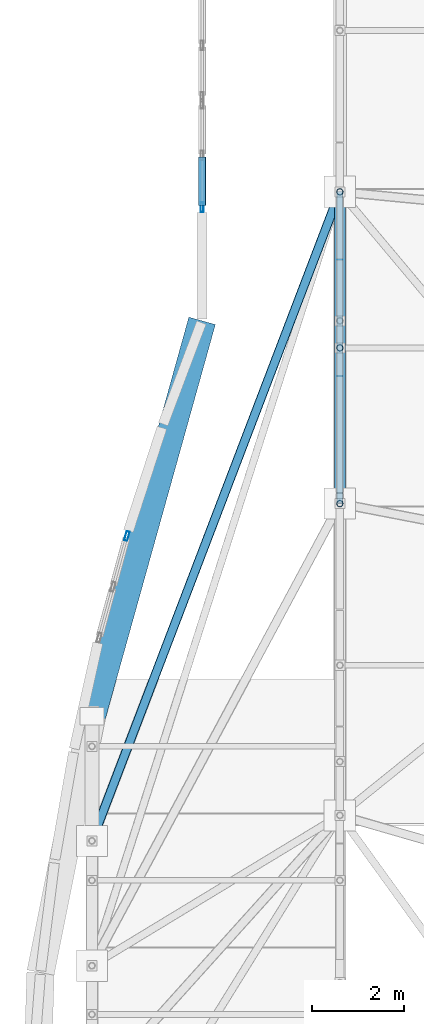
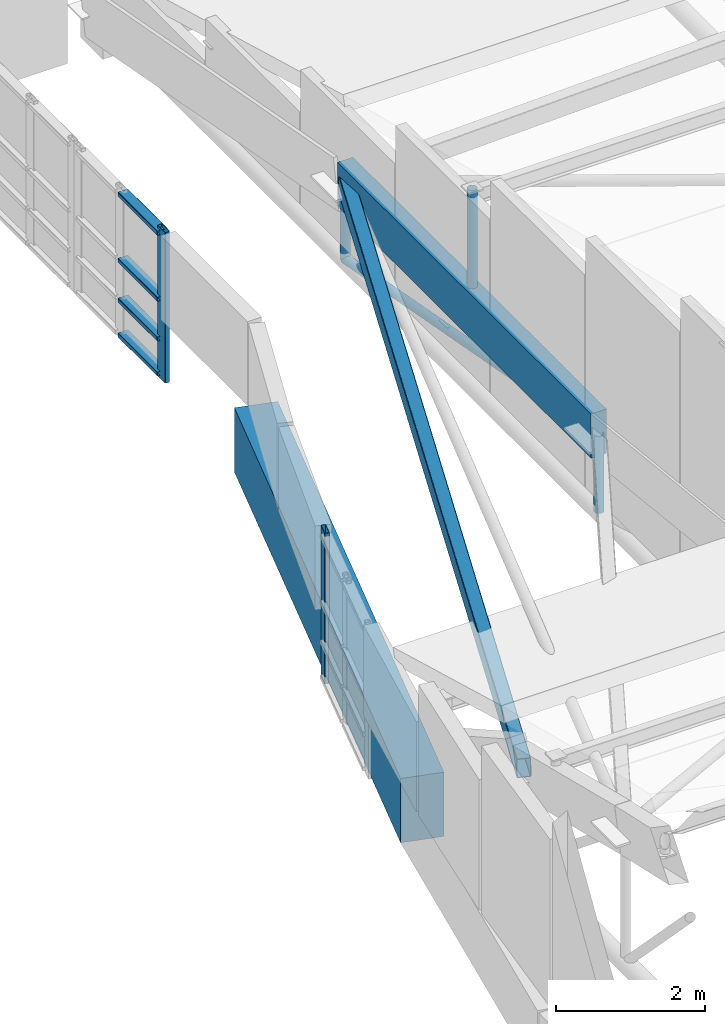
# One storey, part 56 of 188: 12 members, 1 beam, 2 elements without a shape of their own.
"""IFC4 building model written with IfcOpenShell, lengths in metres."""

from ifc_helpers import new_model, si_unit, direction, frame, origin, origin_2d, place, context, subcontext, project, spatial, rectangle, hollow_rectangle, hollow_circle, extrude, material, layer, layer_set, material_profile, profile_set, type_object, element, aggregate, save


model = new_model("IFC4")

# Units and contexts
model_context = context("Model", 3, precision=1e-05, world=origin(), true_north=direction((0.0, 1.0)))
body_context = subcontext(model_context, "Body", "Model", "MODEL_VIEW")
ifc_project = project(units=[si_unit("LENGTHUNIT", "METRE"), si_unit("AREAUNIT", "SQUARE_METRE"), si_unit("VOLUMEUNIT", "CUBIC_METRE"), si_unit("PLANEANGLEUNIT", "RADIAN"), si_unit("MASSUNIT", "GRAM", prefix="KILO")], contexts=[model_context])

# Site, building, storey
site_placement = place(None, origin())
site = spatial("IfcSite", under=ifc_project, at=site_placement, CompositionType="ELEMENT")
building_placement = place(site_placement, origin())
building = spatial("IfcBuilding", under=site, at=building_placement, Name="Kisaragi Civic Commons", CompositionType="ELEMENT")
storey_placement = place(building_placement, frame((0.0, 0.0, 9.60009765625)))
storey = spatial("IfcBuildingStorey", under=building, at=storey_placement, Name="L02", CompositionType="ELEMENT", Elevation=9.60009765625)

# Curtain wall, member
ifc_material_1 = material(Name="Thermally broken anodized aluminium and low-E double glazing", Category="aluminium")
ifc_layer = layer(ifc_material_1, 0.2099609375, Name="Thermally broken anodized aluminium and low-E double glazing", Category="aluminium")
ifc_layer_set = layer_set([ifc_layer], Name="Thermally broken anodized aluminium and low-E double glazing")
curtain_wall_type = type_object("IfcCurtainWallType", Name="CW-02", PredefinedType="NOTDEFINED", material=ifc_layer_set)
curtain_wall_1_placement = place(storey_placement, origin())
curtain_wall_1 = element("IfcCurtainWall", 1, at=curtain_wall_1_placement, inside=storey, type_object=curtain_wall_type, Name="L02 curtain wall CW-02 CW-GAB-V1-171", PredefinedType="NOTDEFINED")
ifc_material_profile_1 = material_profile(ifc_material_1, hollow_rectangle(XDim=0.070068359375, YDim=0.2099609375, WallThickness=0.0048828125, InnerFilletRadius=0.0048828125, OuterFilletRadius=0.010009765625, at=origin_2d()), Name="CWM-70x210x5", Category="aluminium")
ifc_profile_set_1 = profile_set([ifc_material_profile_1], Name="Thermally broken anodized aluminium and low-E double glazing")
member_type_1 = type_object("IfcMemberType", Name="CWM-03", PredefinedType="MULLION", material=ifc_profile_set_1)
member_1_placement = place(storey_placement, frame((2.163330078125, 48.11328125, -1.399169921875), z_axis=(0.0, 0.0, 1.0), x_axis=(-0.964681825251, 0.263417873406, 0.0)))
member_1 = element("IfcMember", 2, at=member_1_placement, type_object=member_type_1, Name="CW-02 mullion 3", PredefinedType="MULLION", context=body_context, shape_type="SweptSolid", body=[
    extrude(hollow_rectangle(XDim=0.070068359375, YDim=0.2099609375, WallThickness=0.0048828125, InnerFilletRadius=0.0048828125, OuterFilletRadius=0.010009765625, at=origin_2d()), origin(), (0.0, 0.0, 1.0), 2.461181640625),
])
aggregate(curtain_wall_1, [member_1])

# Curtain wall, members
curtain_wall_2_placement = place(storey_placement, origin())
curtain_wall_2 = element("IfcCurtainWall", 3, at=curtain_wall_2_placement, inside=storey, type_object=curtain_wall_type, Name="L02 curtain wall CW-02 CW-GAB-V1-172", PredefinedType="NOTDEFINED")
member_2_placement = place(storey_placement, frame((3.800048828125, 55.27490234375, -1.399169921875), z_axis=(0.0, 0.0, 1.0), x_axis=(-1.0, 0.0, 0.0)))
member_2 = element("IfcMember", 4, at=member_2_placement, type_object=member_type_1, Name="CW-02 mullion 1", PredefinedType="MULLION", context=body_context, shape_type="SweptSolid", body=[
    extrude(hollow_rectangle(XDim=0.070068359375, YDim=0.2099609375, WallThickness=0.0048828125, InnerFilletRadius=0.0048828125, OuterFilletRadius=0.010009765625, at=origin_2d()), origin(), (0.0, 0.0, 1.0), 2.461181640625),
])
ifc_material_profile_2 = material_profile(ifc_material_1, hollow_rectangle(XDim=0.159912109375, YDim=0.070068359375, WallThickness=0.0048828125, InnerFilletRadius=0.0048828125, OuterFilletRadius=0.010009765625, at=origin_2d()), Name="CWT-70x160x5", Category="aluminium")
ifc_profile_set_2 = profile_set([ifc_material_profile_2], Name="Thermally broken anodized aluminium and low-E double glazing")
member_type_2 = type_object("IfcMemberType", Name="CWT-03", PredefinedType="USERDEFINED", material=ifc_profile_set_2)
member_3_placement = place(storey_placement, frame((3.800048828125, 55.31005859375, -1.319091796875), z_axis=(0.0, 1.0, 0.0), x_axis=(-1.0, 0.0, 0.0)))
member_3 = element("IfcMember", 5, at=member_3_placement, type_object=member_type_2, Name="CW-02 transom 1.1", ObjectType="TRANSOM", PredefinedType="USERDEFINED", context=body_context, shape_type="SweptSolid", body=[
    extrude(hollow_rectangle(XDim=0.159912109375, YDim=0.070068359375, WallThickness=0.0048828125, InnerFilletRadius=0.0048828125, OuterFilletRadius=0.010009765625, at=origin_2d()), origin(), (0.0, 0.0, 1.0), 1.054931640625),
])
member_4_placement = place(storey_placement, frame((3.800048828125, 55.31005859375, -0.7490234375), z_axis=(0.0, 1.0, 0.0), x_axis=(-1.0, 0.0, 0.0)))
member_4 = element("IfcMember", 6, at=member_4_placement, type_object=member_type_2, Name="CW-02 transom 1.2", ObjectType="TRANSOM", PredefinedType="USERDEFINED", context=body_context, shape_type="SweptSolid", body=[
    extrude(hollow_rectangle(XDim=0.159912109375, YDim=0.070068359375, WallThickness=0.0048828125, InnerFilletRadius=0.0048828125, OuterFilletRadius=0.010009765625, at=origin_2d()), origin(), (0.0, 0.0, 1.0), 1.054931640625),
])
member_5_placement = place(storey_placement, frame((3.800048828125, 55.31005859375, -0.09912109375), z_axis=(0.0, 1.0, 0.0), x_axis=(-1.0, 0.0, 0.0)))
member_5 = element("IfcMember", 7, at=member_5_placement, type_object=member_type_2, Name="CW-02 transom 1.3", ObjectType="TRANSOM", PredefinedType="USERDEFINED", context=body_context, shape_type="SweptSolid", body=[
    extrude(hollow_rectangle(XDim=0.159912109375, YDim=0.070068359375, WallThickness=0.0048828125, InnerFilletRadius=0.0048828125, OuterFilletRadius=0.010009765625, at=origin_2d()), origin(), (0.0, 0.0, 1.0), 1.054931640625),
])
member_6_placement = place(storey_placement, frame((3.800048828125, 55.31005859375, 0.98193359375), z_axis=(0.0, 1.0, 0.0), x_axis=(-1.0, 0.0, 0.0)))
member_6 = element("IfcMember", 8, at=member_6_placement, type_object=member_type_2, Name="CW-02 transom 1.4", ObjectType="TRANSOM", PredefinedType="USERDEFINED", context=body_context, shape_type="SweptSolid", body=[
    extrude(hollow_rectangle(XDim=0.159912109375, YDim=0.070068359375, WallThickness=0.0048828125, InnerFilletRadius=0.0048828125, OuterFilletRadius=0.010009765625, at=origin_2d()), origin(), (0.0, 0.0, 1.0), 1.054931640625),
])
aggregate(curtain_wall_2, [member_2, member_3, member_4, member_5, member_6])

# Beam
ifc_material_2 = material(Name="Concrete Fc36", Category="concrete")
ifc_material_profile_3 = material_profile(ifc_material_2, rectangle(XDim=0.60009765625, YDim=1.050048828125, at=origin_2d()), Name="RC-600x1050", Category="concrete")
ifc_profile_set_3 = profile_set([ifc_material_profile_3], Name="Concrete Fc36")
beam_type = type_object("IfcBeamType", Name="G-06", PredefinedType="BEAM", material=ifc_profile_set_3)
beam_placement = place(storey_placement, frame((3.800048828125, 52.800048828125, -0.84521484375), z_axis=(-0.268592060061, -0.963254019079, 0.0), x_axis=(0.963254019079, -0.268592060061, 0.0)))
element("IfcBeam", 9, at=beam_placement, inside=storey, type_object=beam_type, Name="L02 curved spandrel/ring girder G-06 256", PredefinedType="BEAM", context=body_context, shape_type="SweptSolid", body=[
    extrude(rectangle(XDim=0.60009765625, YDim=1.050048828125, at=origin_2d()), origin(), (0.0, 0.0, 1.0), 8.93603515625),
])

# Members
ifc_material_3 = material(Name="Steel SN490 (SN490B)", Category="steel")
ifc_material_profile_4 = material_profile(ifc_material_3, hollow_rectangle(XDim=0.199951171875, YDim=0.300048828125, WallThickness=0.009033203125, InnerFilletRadius=0.009033203125, OuterFilletRadius=0.01806640625, at=origin_2d()), Name="STKR-300x200x9", Category="steel")
ifc_profile_set_4 = profile_set([ifc_material_profile_4], Name="Steel SN490 (SN490B)")
member_type_3 = type_object("IfcMemberType", Name="GC-02", PredefinedType="CHORD", material=ifc_profile_set_4)
member_7_placement = place(storey_placement, frame((1.39990234375, 41.47314453125, 1.45166015625), z_axis=(0.356242864757, 0.932570667663, -0.058334990558), x_axis=(-0.934161484471, 0.356850558261, 0.0)))
element("IfcMember", 10, at=member_7_placement, inside=storey, type_object=member_type_3, Name="V1 wave gridshell chord GC-02 7", PredefinedType="CHORD", context=body_context, shape_type="SweptSolid", body=[
    extrude(hollow_rectangle(XDim=0.199951171875, YDim=0.300048828125, WallThickness=0.009033203125, InnerFilletRadius=0.009033203125, OuterFilletRadius=0.01806640625, at=origin_2d()), origin(), (0.0, 0.0, 1.0), 15.15869140625),
])
ifc_material_4 = material(Name="Glulam E120-F330", Category="wood")
ifc_material_profile_5 = material_profile(ifc_material_4, rectangle(XDim=0.239990234375, YDim=0.719970703125, at=origin_2d()), Name="GL-240x720", Category="wood")
ifc_profile_set_5 = profile_set([ifc_material_profile_5], Name="Glulam E120-F330")
member_type_4 = type_object("IfcMemberType", Name="GR-02", PredefinedType="RAFTER", material=ifc_profile_set_5)
member_8_placement = place(storey_placement, frame((6.800048828125, 48.819091796875, 0.5673828125), z_axis=(0.0, 1.0, 0.0), x_axis=(-1.0, 0.0, 0.0)))
element("IfcMember", 11, at=member_8_placement, inside=storey, type_object=member_type_4, Name="V1 glulam arch rib GR-02 15", PredefinedType="RAFTER", context=body_context, shape_type="SweptSolid", body=[
    extrude(rectangle(XDim=0.239990234375, YDim=0.719970703125, at=origin_2d()), origin(), (0.0, 0.0, 1.0), 6.79052734375),
])
ifc_material_profile_6 = material_profile(ifc_material_3, hollow_circle(Radius=0.06982421875, WallThickness=0.006103515625, at=origin_2d()), Name="CHS-139.8x6.0", Category="steel")
ifc_profile_set_6 = profile_set([ifc_material_profile_6], Name="Steel SN490 (SN490B)")
member_type_5 = type_object("IfcMemberType", Name="ST-H1", PredefinedType="STRUT", material=ifc_profile_set_6)
for number, where, z_axis, x_axis, name in (
    (12, (6.800048828125, 48.819091796875, -0.691162109375), (0.0, 0.0, 1.0), (1.0, 0.0, 0.0), "V1 arch tie hanger strut 21"),
    (13, (6.800048828125, 55.609619140625, -0.691162109375), (0.0, 0.0, 1.0), (1.0, 0.0, 0.0), "V1 arch tie hanger strut 22"),
):
    element("IfcMember", number, at=place(storey_placement, frame(where, z_axis=z_axis, x_axis=x_axis)), inside=storey, type_object=member_type_5, Name=name, PredefinedType="STRUT", context=body_context, shape_type="SweptSolid", body=[
        extrude(hollow_circle(Radius=0.06982421875, WallThickness=0.006103515625, at=origin_2d()), origin(), (0.0, 0.0, 1.0), 1.258544921875),
    ])
member_9_placement = place(storey_placement, frame((6.800048828125, 55.609619140625, -0.691162109375), z_axis=(0.0, -0.98325503549, 0.182234835261), x_axis=(1.0, 0.0, 0.0)))
element("IfcMember", 14, at=member_9_placement, inside=storey, type_object=member_type_5, Name="V1 tied arch truss diagonal web strut 28", PredefinedType="STRUT", context=body_context, shape_type="SweptSolid", body=[
    extrude(hollow_circle(Radius=0.06982421875, WallThickness=0.006103515625, at=origin_2d()), origin(), (0.0, 0.0, 1.0), 6.90625),
])
member_10_placement = place(storey_placement, frame((6.800048828125, 52.21044921875, 0.5673828125), z_axis=(0.0, 0.0, 1.0), x_axis=(1.0, 0.0, 0.0)))
element("IfcMember", 15, at=member_10_placement, inside=storey, type_object=member_type_5, Name="V1 clerestory monitor horizontal tie strut 2.1.7", PredefinedType="STRUT", context=body_context, shape_type="SweptSolid", body=[
    extrude(hollow_circle(Radius=0.06982421875, WallThickness=0.006103515625, at=origin_2d()), origin(), (0.0, 0.0, 1.0), 1.961669921875),
])

save(model, "model.ifc")
